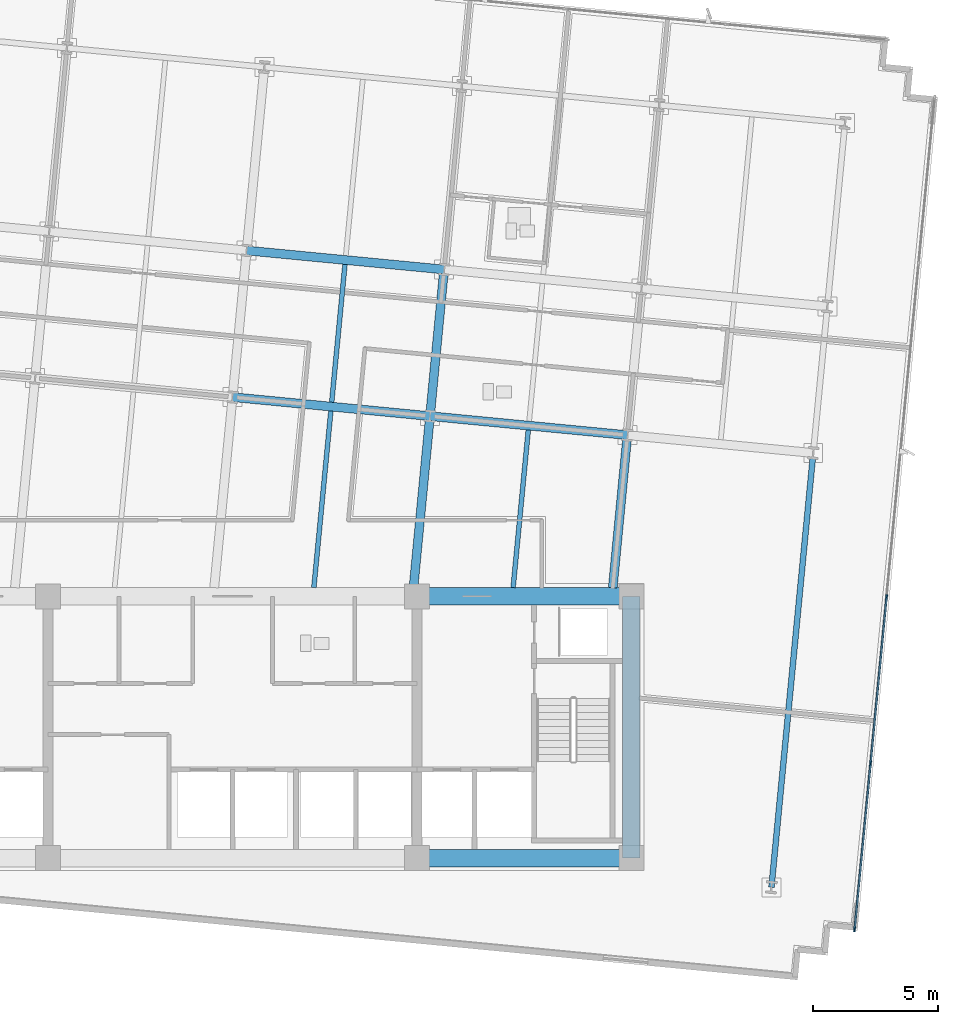
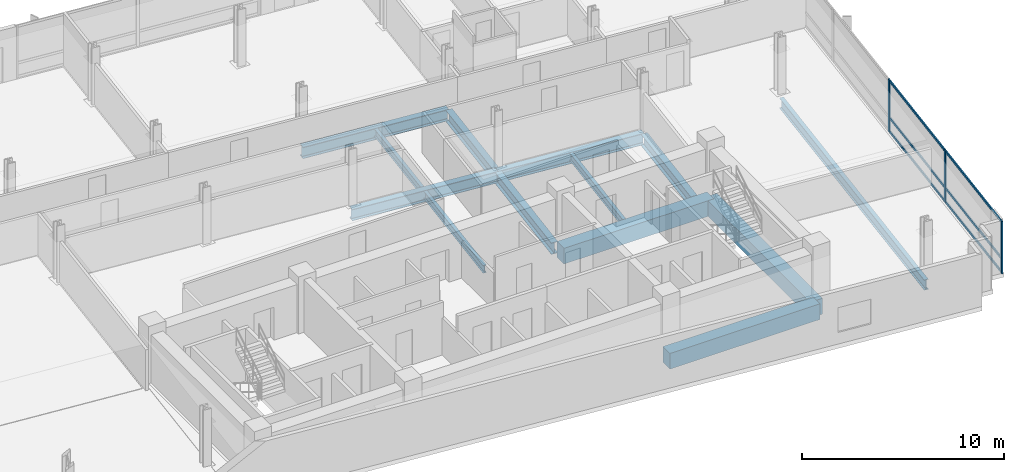
# One storey, part 5 of 16: 13 beams, 9 members, 1 element without a shape of its own.
"""IFC4 building model written with IfcOpenShell, lengths in metres."""

from ifc_helpers import new_model, si_unit, direction, frame, origin, origin_2d, place, context, subcontext, project, spatial, rectangle, i_section, extrude, material, material_profile, profile_set, type_object, element, aggregate, save


model = new_model("IFC4")

# Units and contexts
model_context = context("Model", 3, precision=1e-05, world=origin(), true_north=direction((0.0, 1.0)))
body_context = subcontext(model_context, "Body", "Model", "MODEL_VIEW")
ifc_project = project(units=[si_unit("LENGTHUNIT", "METRE"), si_unit("AREAUNIT", "SQUARE_METRE"), si_unit("VOLUMEUNIT", "CUBIC_METRE"), si_unit("PLANEANGLEUNIT", "RADIAN"), si_unit("MASSUNIT", "GRAM", prefix="KILO")], contexts=[model_context])

# Site, building, storey
site_placement = place(None, origin())
site = spatial("IfcSite", under=ifc_project, at=site_placement, CompositionType="ELEMENT")
building_placement = place(site_placement, origin())
building = spatial("IfcBuilding", under=site, at=building_placement, Name="Solmavex Isthmus Hotel", CompositionType="ELEMENT")
storey_placement = place(building_placement, frame((0.0, 0.0, 160.050048828125)))
storey = spatial("IfcBuildingStorey", under=building, at=storey_placement, Name="L43", CompositionType="ELEMENT", Elevation=160.050048828125)

# Beams
ifc_material_1 = material(Name="Steel ASTM A992 Grade 50", Category="steel")
ifc_material_profile_1 = material_profile(ifc_material_1, i_section(OverallWidth=0.354736328125, OverallDepth=0.695556640625, WebThickness=0.015380859375, FlangeThickness=0.02490234375, FilletRadius=0.017822265625, at=origin_2d()), Name="W27X146")
ifc_profile_set_1 = profile_set([ifc_material_profile_1], Name="Steel ASTM A992 Grade 50")
beam_type_1 = type_object("IfcBeamType", Name="BM-BG-W27X146", PredefinedType="BEAM", material=ifc_profile_set_1)
for number, where, z_axis, x_axis, name in (
    (1, (0.001220703125, 5.490234375, -0.60791015625), (0.995397440011, -0.095832856685, 0.0), (0.095832856685, 0.995397440011, 0.0), "Floor Girder L43-UG06"),
    (2, (7.920654296875, 4.727783203125, -0.60791015625), (0.995397440011, -0.095832856685, 0.0), (0.095832856685, 0.995397440011, 0.0), "Floor Girder L43-UG07"),
):
    element("IfcBeam", number, at=place(storey_placement, frame(where, z_axis=z_axis, x_axis=x_axis)), inside=storey, type_object=beam_type_1, Name=name, PredefinedType="BEAM", context=body_context, shape_type="SweptSolid", body=[
        extrude(i_section(OverallWidth=0.354736328125, OverallDepth=0.695556640625, WebThickness=0.015380859375, FlangeThickness=0.02490234375, FilletRadius=0.017822265625, at=origin_2d()), origin(), (0.0, 0.0, 1.0), 7.9560546875),
    ])
beam_1_placement = place(storey_placement, frame((0.567626953125, 11.37109375, -0.60791015625), z_axis=(0.995397158178, -0.095835783981, 0.0), x_axis=(0.095835783981, 0.995397158178, 0.0)))
element("IfcBeam", 3, at=beam_1_placement, inside=storey, type_object=beam_type_1, Name="Floor Girder L43-UG12", PredefinedType="BEAM", context=body_context, shape_type="SweptSolid", body=[
    extrude(i_section(OverallWidth=0.354736328125, OverallDepth=0.695556640625, WebThickness=0.015380859375, FlangeThickness=0.02490234375, FilletRadius=0.017822265625, at=origin_2d()), origin(), (0.0, 0.0, 1.0), 7.955810546875),
])
beam_2_placement = place(storey_placement, frame((7.25830078125, -2.14990234375, -0.60791015625), z_axis=(0.095847843924, 0.995395996986, 0.0), x_axis=(-0.995395996986, 0.095847843924, 0.0)))
element("IfcBeam", 4, at=beam_2_placement, inside=storey, type_object=beam_type_1, Name="Floor Beam L43-VG33", PredefinedType="BEAM", context=body_context, shape_type="SweptSolid", body=[
    extrude(i_section(OverallWidth=0.354736328125, OverallDepth=0.695556640625, WebThickness=0.015380859375, FlangeThickness=0.02490234375, FilletRadius=0.017822265625, at=origin_2d()), origin(), (0.0, 0.0, 1.0), 6.732177734375),
])
beam_3_placement = place(storey_placement, frame((7.937744140625, 4.904296875, -0.60791015625), z_axis=(0.095842252862, 0.99539653534, 0.0), x_axis=(-0.99539653534, 0.095842252862, 0.0)))
element("IfcBeam", 5, at=beam_3_placement, inside=storey, type_object=beam_type_1, Name="Floor Beam L43-VG34", PredefinedType="BEAM", context=body_context, shape_type="SweptSolid", body=[
    extrude(i_section(OverallWidth=0.354736328125, OverallDepth=0.695556640625, WebThickness=0.015380859375, FlangeThickness=0.02490234375, FilletRadius=0.017822265625, at=origin_2d()), origin(), (0.0, 0.0, 1.0), 5.55322265625),
])
beam_4_placement = place(storey_placement, frame((15.251220703125, -2.14990234375, -0.60791015625), z_axis=(0.095840286514, 0.995396724669, 0.0), x_axis=(-0.995396724669, 0.095840286514, 0.0)))
element("IfcBeam", 6, at=beam_4_placement, inside=storey, type_object=beam_type_1, Name="Floor Beam L43-VG36", PredefinedType="BEAM", context=body_context, shape_type="SweptSolid", body=[
    extrude(i_section(OverallWidth=0.354736328125, OverallDepth=0.695556640625, WebThickness=0.015380859375, FlangeThickness=0.02490234375, FilletRadius=0.017822265625, at=origin_2d()), origin(), (0.0, 0.0, 1.0), 5.9658203125),
])
ifc_material_profile_2 = material_profile(ifc_material_1, i_section(OverallWidth=0.1904296875, OverallDepth=0.456787109375, WebThickness=0.009033203125, FlangeThickness=0.014404296875, FilletRadius=0.0126953125, at=origin_2d()), Name="W18X50")
ifc_profile_set_2 = profile_set([ifc_material_profile_2], Name="Steel ASTM A992 Grade 50")
beam_type_2 = type_object("IfcBeamType", Name="BM-BJ-W18X50", PredefinedType="JOIST", material=ifc_profile_set_2)
beam_5_placement = place(storey_placement, frame((3.261962890625, -2.14990234375, -0.488525390625), z_axis=(0.095837287001, 0.995397013468, 0.0), x_axis=(-0.995397013468, 0.095837287001, 0.0)))
element("IfcBeam", 7, at=beam_5_placement, inside=storey, type_object=beam_type_2, Name="Secondary Floor Joist L43-J10", PredefinedType="JOIST", context=body_context, shape_type="SweptSolid", body=[
    extrude(i_section(OverallWidth=0.1904296875, OverallDepth=0.456787109375, WebThickness=0.009033203125, FlangeThickness=0.014404296875, FilletRadius=0.0126953125, at=origin_2d()), origin(), (0.0, 0.0, 1.0), 7.114990234375),
])
beam_6_placement = place(storey_placement, frame((3.97802734375, 5.28564453125, -0.488525390625), z_axis=(0.095842252862, 0.99539653534, 0.0), x_axis=(-0.99539653534, 0.095842252862, 0.0)))
element("IfcBeam", 8, at=beam_6_placement, inside=storey, type_object=beam_type_2, Name="Secondary Floor Joist L43-J11", PredefinedType="JOIST", context=body_context, shape_type="SweptSolid", body=[
    extrude(i_section(OverallWidth=0.1904296875, OverallDepth=0.456787109375, WebThickness=0.009033203125, FlangeThickness=0.014404296875, FilletRadius=0.0126953125, at=origin_2d()), origin(), (0.0, 0.0, 1.0), 5.55322265625),
])
beam_7_placement = place(storey_placement, frame((11.2548828125, -2.14990234375, -0.488525390625), z_axis=(0.095825243261, 0.995398172971, 0.0), x_axis=(-0.995398172971, 0.095825243261, 0.0)))
element("IfcBeam", 9, at=beam_7_placement, inside=storey, type_object=beam_type_2, Name="Secondary Floor Joist L43-J13", PredefinedType="JOIST", context=body_context, shape_type="SweptSolid", body=[
    extrude(i_section(OverallWidth=0.1904296875, OverallDepth=0.456787109375, WebThickness=0.009033203125, FlangeThickness=0.014404296875, FilletRadius=0.0126953125, at=origin_2d()), origin(), (0.0, 0.0, 1.0), 6.34912109375),
])
ifc_material_2 = material(Name="Concrete C60/75", Category="concrete")
ifc_material_profile_3 = material_profile(ifc_material_2, rectangle(XDim=0.699951171875, YDim=0.949951171875, at=origin_2d()), Name="RC700X950")
ifc_profile_set_3 = profile_set([ifc_material_profile_3], Name="Concrete C60/75")
beam_type_3 = type_object("IfcBeamType", Name="BM-CB-700X950", PredefinedType="BEAM", material=ifc_profile_set_3)
for number, where, z_axis, x_axis, name in (
    (10, (7.39990234375, -13.0, -0.735107421875), (1.0, 0.0, 0.0), (0.0, 1.0, 0.0), "Core Coupling Beam L43-CB3"),
    (11, (7.39990234375, -2.5, -0.735107421875), (1.0, 0.0, 0.0), (0.0, 1.0, 0.0), "Core Coupling Beam L43-CB6"),
):
    element("IfcBeam", number, at=place(storey_placement, frame(where, z_axis=z_axis, x_axis=x_axis)), inside=storey, type_object=beam_type_3, Name=name, PredefinedType="BEAM", context=body_context, shape_type="SweptSolid", body=[
        extrude(rectangle(XDim=0.699951171875, YDim=0.949951171875, at=origin_2d()), origin(), (0.0, 0.0, 1.0), 8.60009765625),
    ])
beam_8_placement = place(storey_placement, frame((16.0, -13.0, -0.735107421875), z_axis=(0.0, 1.0, 0.0), x_axis=(-1.0, 0.0, 0.0)))
element("IfcBeam", 12, at=beam_8_placement, inside=storey, type_object=beam_type_3, Name="Core Coupling Beam L43-CB8", PredefinedType="BEAM", context=body_context, shape_type="SweptSolid", body=[
    extrude(rectangle(XDim=0.699951171875, YDim=0.949951171875, at=origin_2d()), origin(), (0.0, 0.0, 1.0), 10.5),
])
ifc_material_profile_4 = material_profile(ifc_material_1, i_section(OverallWidth=0.230224609375, OverallDepth=0.617431640625, WebThickness=0.01318359375, FlangeThickness=0.022216796875, FilletRadius=0.01513671875, at=origin_2d()), Name="W24X94")
ifc_profile_set_4 = profile_set([ifc_material_profile_4], Name="Steel ASTM A992 Grade 50")
beam_type_4 = type_object("IfcBeamType", Name="BM-SP-W24X94", PredefinedType="SPANDREL", material=ifc_profile_set_4)
beam_9_placement = place(storey_placement, frame((21.6162109375, -14.171875, -0.56884765625), z_axis=(0.095851245948, 0.995395669395, 0.0), x_axis=(-0.995395669395, 0.095851245948, 0.0)))
element("IfcBeam", 13, at=beam_9_placement, inside=storey, type_object=beam_type_4, Name="Floor Beam L43-VG39", PredefinedType="SPANDREL", context=body_context, shape_type="SweptSolid", body=[
    extrude(i_section(OverallWidth=0.230224609375, OverallDepth=0.617431640625, WebThickness=0.01318359375, FlangeThickness=0.022216796875, FilletRadius=0.01513671875, at=origin_2d()), origin(), (0.0, 0.0, 1.0), 17.32275390625),
])

# Curtain wall, members
ifc_material_3 = material(Name="Aluminium alloy 6063-T6", Category="aluminium")
curtain_wall_type = type_object("IfcCurtainWallType", Name="CW-SYS-03", PredefinedType="NOTDEFINED", material=ifc_material_3)
curtain_wall_placement = place(storey_placement, origin())
curtain_wall = element("IfcCurtainWall", 14, at=curtain_wall_placement, inside=storey, type_object=curtain_wall_type, Name="Stick Curtain Wall CWL-L43-E1", PredefinedType="NOTDEFINED")
ifc_material_profile_5 = material_profile(ifc_material_3, rectangle(XDim=0.070068359375, YDim=0.179931640625, at=origin_2d()), Name="CWM-70X180")
ifc_profile_set_5 = profile_set([ifc_material_profile_5], Name="Aluminium alloy 6063-T6")
member_type_1 = type_object("IfcMemberType", Name="CW-SYS-03-MUL", PredefinedType="MULLION", material=ifc_profile_set_5)
member_1_placement = place(storey_placement, frame((24.949462890625, -15.8642578125, 0.0), z_axis=(0.0, 0.0, 1.0), x_axis=(-0.995396190038, 0.09584583902, 0.0)))
member_1 = element("IfcMember", 15, at=member_1_placement, type_object=member_type_1, Name="CW-03 mullion 1", PredefinedType="MULLION", context=body_context, shape_type="SweptSolid", body=[
    extrude(rectangle(XDim=0.070068359375, YDim=0.179931640625, at=origin_2d()), origin(), (0.0, 0.0, 1.0), 3.18994140625),
])
member_2_placement = place(storey_placement, frame((25.590087890625, -9.2099609375, 0.0), z_axis=(0.0, 0.0, 1.0), x_axis=(-0.995396190038, 0.09584583902, 0.0)))
member_2 = element("IfcMember", 16, at=member_2_placement, type_object=member_type_1, Name="CW-03 mullion 2", PredefinedType="MULLION", context=body_context, shape_type="SweptSolid", body=[
    extrude(rectangle(XDim=0.070068359375, YDim=0.179931640625, at=origin_2d()), origin(), (0.0, 0.0, 1.0), 3.18994140625),
])
member_3_placement = place(storey_placement, frame((26.234130859375, -2.520751953125, 0.0), z_axis=(0.0, 0.0, 1.0), x_axis=(-0.995396190038, 0.09584583902, 0.0)))
member_3 = element("IfcMember", 17, at=member_3_placement, type_object=member_type_1, Name="CW-03 mullion 3", PredefinedType="MULLION", context=body_context, shape_type="SweptSolid", body=[
    extrude(rectangle(XDim=0.070068359375, YDim=0.179931640625, at=origin_2d()), origin(), (0.0, 0.0, 1.0), 3.18994140625),
])
ifc_material_profile_6 = material_profile(ifc_material_3, rectangle(XDim=0.070068359375, YDim=0.139892578125, at=origin_2d()), Name="CWT-70X140")
ifc_profile_set_6 = profile_set([ifc_material_profile_6], Name="Aluminium alloy 6063-T6")
member_type_2 = type_object("IfcMemberType", Name="CW-SYS-03-TRN", PredefinedType="USERDEFINED", material=ifc_profile_set_6)
member_4_placement = place(storey_placement, frame((24.95263671875, -15.829345703125, 0.070068359375), z_axis=(0.095848837806, 0.995395901283, 0.0), x_axis=(-0.995395901283, 0.095848837806, 0.0)))
member_4 = element("IfcMember", 18, at=member_4_placement, type_object=member_type_2, Name="CW-03 transom 1.1", ObjectType="TRANSOM", PredefinedType="USERDEFINED", context=body_context, shape_type="SweptSolid", body=[
    extrude(rectangle(XDim=0.070068359375, YDim=0.139892578125, at=origin_2d()), origin(), (0.0, 0.0, 1.0), 6.614990234375),
])
member_5_placement = place(storey_placement, frame((24.95263671875, -15.829345703125, 0.89990234375), z_axis=(0.095848837806, 0.995395901283, 0.0), x_axis=(-0.995395901283, 0.095848837806, 0.0)))
member_5 = element("IfcMember", 19, at=member_5_placement, type_object=member_type_2, Name="CW-03 transom 1.2", ObjectType="TRANSOM", PredefinedType="USERDEFINED", context=body_context, shape_type="SweptSolid", body=[
    extrude(rectangle(XDim=0.070068359375, YDim=0.139892578125, at=origin_2d()), origin(), (0.0, 0.0, 1.0), 6.614990234375),
])
member_6_placement = place(storey_placement, frame((24.95263671875, -15.829345703125, 3.119873046875), z_axis=(0.095848837806, 0.995395901283, 0.0), x_axis=(-0.995395901283, 0.095848837806, 0.0)))
member_6 = element("IfcMember", 20, at=member_6_placement, type_object=member_type_2, Name="CW-03 transom 1.3", ObjectType="TRANSOM", PredefinedType="USERDEFINED", context=body_context, shape_type="SweptSolid", body=[
    extrude(rectangle(XDim=0.070068359375, YDim=0.139892578125, at=origin_2d()), origin(), (0.0, 0.0, 1.0), 6.614990234375),
])
member_7_placement = place(storey_placement, frame((25.593505859375, -9.175048828125, 0.070068359375), z_axis=(0.095857212138, 0.995395094865, 0.0), x_axis=(-0.995395094865, 0.095857212138, 0.0)))
member_7 = element("IfcMember", 21, at=member_7_placement, type_object=member_type_2, Name="CW-03 transom 2.1", ObjectType="TRANSOM", PredefinedType="USERDEFINED", context=body_context, shape_type="SweptSolid", body=[
    extrude(rectangle(XDim=0.070068359375, YDim=0.139892578125, at=origin_2d()), origin(), (0.0, 0.0, 1.0), 6.64990234375),
])
member_8_placement = place(storey_placement, frame((25.593505859375, -9.175048828125, 0.89990234375), z_axis=(0.095857212138, 0.995395094865, 0.0), x_axis=(-0.995395094865, 0.095857212138, 0.0)))
member_8 = element("IfcMember", 22, at=member_8_placement, type_object=member_type_2, Name="CW-03 transom 2.2", ObjectType="TRANSOM", PredefinedType="USERDEFINED", context=body_context, shape_type="SweptSolid", body=[
    extrude(rectangle(XDim=0.070068359375, YDim=0.139892578125, at=origin_2d()), origin(), (0.0, 0.0, 1.0), 6.64990234375),
])
member_9_placement = place(storey_placement, frame((25.593505859375, -9.175048828125, 3.119873046875), z_axis=(0.095857212138, 0.995395094865, 0.0), x_axis=(-0.995395094865, 0.095857212138, 0.0)))
member_9 = element("IfcMember", 23, at=member_9_placement, type_object=member_type_2, Name="CW-03 transom 2.3", ObjectType="TRANSOM", PredefinedType="USERDEFINED", context=body_context, shape_type="SweptSolid", body=[
    extrude(rectangle(XDim=0.070068359375, YDim=0.139892578125, at=origin_2d()), origin(), (0.0, 0.0, 1.0), 6.64990234375),
])
aggregate(curtain_wall, [member_1, member_2, member_3, member_4, member_5, member_6, member_7, member_8, member_9])

save(model, "model.ifc")
